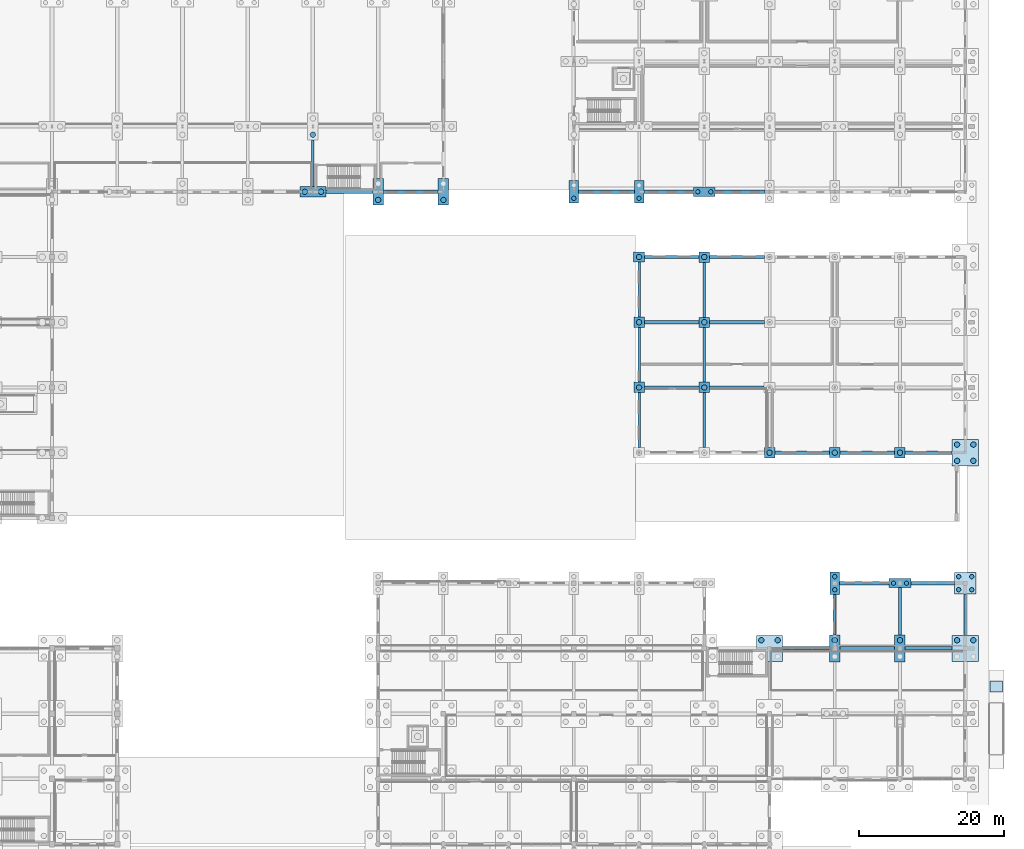
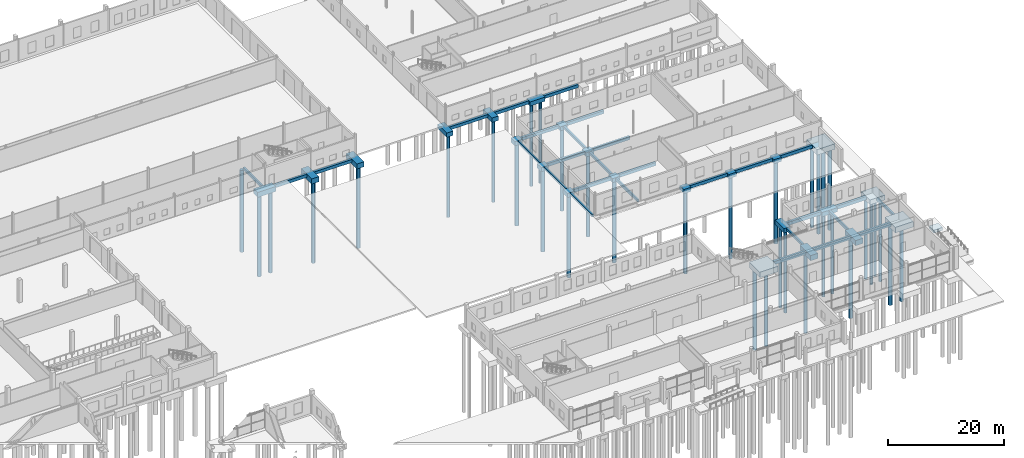
# One storey, part 13 of 112: 53 footings, 36 piles.
"""IFC4 building model written with IfcOpenShell, lengths in metres."""

import ifcopenshell
import ifcopenshell.guid

model = None  # the IFC model being written
_history = None  # IfcOwnerHistory: only IFC2X3 demands one
_inside = {}  # id of a spatial element -> (the spatial element, [elements in it])
_under = {}  # id of a project, library or spatial element -> (it, [spatial elements below it])
_declared = {}  # id of a project -> (the project, [libraries it declares])
_typed = {}  # id of a type object -> (the type object, [elements of that type])
_made_of = {}  # id of a material, layer set ... -> (it, [elements and type objects made of it])


def new_model(schema):
    """Start an empty IFC model of exactly this schema.

    Asked for "IFC4X3", IfcOpenShell would pick the latest addendum, in which some entities
    have other attributes; the version numbers below select the first issue.
    IFC2X3 requires an IfcOwnerHistory on every rooted entity: one is made here for all.
    """
    global model, _history
    if schema == "IFC4X3":
        model = ifcopenshell.file(schema_version=(4, 3, 0, 0))
    else:
        model = ifcopenshell.file(schema=schema)
    _inside.clear()
    _under.clear()
    _declared.clear()
    _typed.clear()
    _made_of.clear()
    _history = None
    if model.schema == "IFC2X3":
        org = make("IfcOrganization", Name="unknown")
        user = make(
            "IfcPersonAndOrganization",
            ThePerson=make("IfcPerson", FamilyName="unknown"),
            TheOrganization=org,
        )
        app = make(
            "IfcApplication",
            ApplicationDeveloper=org,
            Version="unknown",
            ApplicationFullName="unknown",
            ApplicationIdentifier="unknown",
        )
        _history = make(
            "IfcOwnerHistory",
            OwningUser=user,
            OwningApplication=app,
            ChangeAction="ADDED",
            CreationDate=0,
        )
    return model


def make(cls, **values):
    """One entity of the class cls with the attributes given. An attribute that is None is left unset."""
    return model.create_entity(
        cls, **{name: value for name, value in values.items() if value is not None}
    )


def rooted(cls, **values):
    """An entity with a GlobalId (a new one), such as an element, a storey or a relation."""
    return make(cls, GlobalId=ifcopenshell.guid.new(), OwnerHistory=_history, **values)


def si_unit(unit_type, name, prefix=None):
    """IfcSIUnit, for example si_unit("LENGTHUNIT", "METRE", prefix="MILLI")."""
    return make("IfcSIUnit", UnitType=unit_type, Prefix=prefix, Name=name)


def assignment(units):
    """IfcUnitAssignment: the units of a project."""
    return None if units is None else make("IfcUnitAssignment", Units=units)


def point(xyz):
    """IfcCartesianPoint."""
    return None if xyz is None else make("IfcCartesianPoint", Coordinates=xyz)


def direction(xyz):
    """IfcDirection."""
    return None if xyz is None else make("IfcDirection", DirectionRatios=xyz)


def frame(location, z_axis=None, x_axis=None):
    """IfcAxis2Placement3D, a coordinate frame: its origin and axes. An axis left out is left unset."""
    return make(
        "IfcAxis2Placement3D",
        Location=point(location),
        Axis=direction(z_axis),
        RefDirection=direction(x_axis),
    )


def frame_2d(location, x_axis=None):
    """IfcAxis2Placement2D, a coordinate frame in the plane: its origin and x axis."""
    return make(
        "IfcAxis2Placement2D", Location=point(location), RefDirection=direction(x_axis)
    )


def origin():
    """The frame at (0, 0, 0) with its axes left unset."""
    return frame((0.0, 0.0, 0.0))


def origin_2d():
    """The frame at (0, 0) in the plane with its x axis left unset."""
    return frame_2d((0.0, 0.0))


def place(relative_to, where):
    """IfcLocalPlacement: puts the frame where relative to a parent placement (None: the world)."""
    return make(
        "IfcLocalPlacement", PlacementRelTo=relative_to, RelativePlacement=where
    )


def context(
    kind, dimensions, precision=None, world=None, true_north=None, identifier=None
):
    """IfcGeometricRepresentationContext, for example the 3D "Model" context."""
    return make(
        "IfcGeometricRepresentationContext",
        ContextIdentifier=identifier,
        ContextType=kind,
        CoordinateSpaceDimension=dimensions,
        Precision=precision,
        WorldCoordinateSystem=world,
        TrueNorth=true_north,
    )


def subcontext(parent, identifier, kind, view, scale=None):
    """IfcGeometricRepresentationSubContext, for example "Body" below "Model"."""
    return make(
        "IfcGeometricRepresentationSubContext",
        ContextIdentifier=identifier,
        ContextType=kind,
        ParentContext=parent,
        TargetScale=scale,
        TargetView=view,
    )


def project(units=None, contexts=None):
    """IfcProject with its units and contexts."""
    return rooted(
        "IfcProject",
        Name="project",
        RepresentationContexts=contexts,
        UnitsInContext=assignment(units),
    )


def spatial(cls, under=None, at=None, **own):
    """A site, building, storey or space (cls), placed at a placement, below another one or the project."""
    s = rooted(cls, ObjectPlacement=at, **own)
    if under is not None:
        _under.setdefault(under.id(), (under, []))[1].append(s)
    return s


def polyline(points):
    """IfcPolyline through the points."""
    return make("IfcPolyline", Points=[point(p) for p in points])


def profile(cls, at=None, kind="AREA", **sizes):
    """A parametric profile (cls). Its sizes go by their IFC names, for example OverallWidth=200.0."""
    return make(cls, ProfileType=kind, Position=at, **sizes)


def rectangle(**sizes):
    """IfcRectangleProfileDef."""
    return profile("IfcRectangleProfileDef", **sizes)


def circle(**sizes):
    """IfcCircleProfileDef."""
    return profile("IfcCircleProfileDef", **sizes)


def outline(outer, holes=None, kind="AREA"):
    """IfcArbitraryClosedProfileDef: a profile drawn as a closed curve; with holes, ...WithVoids."""
    if holes is None:
        return make("IfcArbitraryClosedProfileDef", ProfileType=kind, OuterCurve=outer)
    return make(
        "IfcArbitraryProfileDefWithVoids",
        ProfileType=kind,
        OuterCurve=outer,
        InnerCurves=holes,
    )


def extrude(swept, where, along, depth):
    """IfcExtrudedAreaSolid: the profile swept, set in the frame where, extruded along a direction by depth."""
    return make(
        "IfcExtrudedAreaSolid",
        SweptArea=swept,
        Position=where,
        ExtrudedDirection=direction(along),
        Depth=depth,
    )


def shape(context_of_items, identifier, shape_type, items):
    """IfcShapeRepresentation: the items that make up one representation, for example the "Body"."""
    return make(
        "IfcShapeRepresentation",
        ContextOfItems=context_of_items,
        RepresentationIdentifier=identifier,
        RepresentationType=shape_type,
        Items=items,
    )


def material(Name=None, Category=None):
    """IfcMaterial."""
    return make("IfcMaterial", Name=Name, Category=Category)


def material_profile(
    of_material, cross_section, Name=None, Category=None, Priority=None
):
    """IfcMaterialProfile: a cross section and its material."""
    return make(
        "IfcMaterialProfile",
        Name=Name,
        Material=of_material,
        Profile=cross_section,
        Priority=Priority,
        Category=Category,
    )


def profile_set(profiles, Name=None, composite=None):
    """IfcMaterialProfileSet."""
    return make(
        "IfcMaterialProfileSet",
        Name=Name,
        MaterialProfiles=profiles,
        CompositeProfile=composite,
    )


def made_of(thing, what):
    """Note that an element or type object is made of a material, layer set ...; save() writes the relation."""
    if what is not None:
        _made_of.setdefault(what.id(), (what, []))[1].append(thing)
    return thing


def type_object(cls, material=None, **own):
    """A type object (cls), such as IfcWallType, which elements share."""
    return made_of(rooted(cls, **own), material)


def element(
    cls,
    number,
    at=None,
    inside=None,
    cuts=None,
    type_object=None,
    material=None,
    context=None,
    identifier="Body",
    shape_type=None,
    held_by="IfcProductDefinitionShape",
    body=None,
    shapes=None,
    **own,
):
    """One element of the class cls, such as IfcWall. Its Tag is "e" and its number.

    at: its placement. inside: the storey or other place that contains it. cuts: it is an
    opening in that element (IfcRelVoidsElement). A single representation is given by context,
    identifier, shape_type and body (its items); several are given by shapes. held_by: the class
    of the entity that holds the representations. save() writes the other relations.
    """
    e = rooted(cls, Tag="e%d" % number, ObjectPlacement=at, **own)
    if body is not None:
        shapes = [shape(context, identifier, shape_type, body)]
    if shapes is not None:
        e.Representation = make(held_by, Representations=shapes)
    if inside is not None:
        _inside.setdefault(inside.id(), (inside, []))[1].append(e)
    if cuts is not None:
        rooted(
            "IfcRelVoidsElement", RelatingBuildingElement=cuts, RelatedOpeningElement=e
        )
    if type_object is not None:
        _typed.setdefault(type_object.id(), (type_object, []))[1].append(e)
    return made_of(e, material)


def aggregate(whole, parts):
    """IfcRelAggregates: a whole, such as a stair, and the parts it consists of."""
    return rooted("IfcRelAggregates", RelatingObject=whole, RelatedObjects=parts)


def save(model, path):
    """Write the relations noted so far, then the file.

    IfcRelAggregates (storeys below a building ...), IfcRelContainedInSpatialStructure (elements
    in a storey), IfcRelDefinesByType, IfcRelAssociatesMaterial and IfcRelDeclares: one each for
    every whole, place, type object, material and project.
    """
    for whole, parts in _under.values():
        aggregate(whole, parts)
    for where, things in _inside.values():
        rooted(
            "IfcRelContainedInSpatialStructure",
            RelatedElements=things,
            RelatingStructure=where,
        )
    for kind, things in _typed.values():
        rooted("IfcRelDefinesByType", RelatedObjects=things, RelatingType=kind)
    for what, things in _made_of.values():
        rooted("IfcRelAssociatesMaterial", RelatedObjects=things, RelatingMaterial=what)
    for by, libraries in _declared.values():
        rooted("IfcRelDeclares", RelatingContext=by, RelatedDefinitions=libraries)
    model.write(path)


model = new_model("IFC4")

# Units and contexts
model_context = context("Model", 3, precision=1e-05, world=origin(), true_north=direction((0.0, 1.0)))
body_context = subcontext(model_context, "Body", "Model", "MODEL_VIEW")
ifc_project = project(units=[si_unit("LENGTHUNIT", "METRE"), si_unit("AREAUNIT", "SQUARE_METRE"), si_unit("VOLUMEUNIT", "CUBIC_METRE"), si_unit("PLANEANGLEUNIT", "RADIAN"), si_unit("MASSUNIT", "GRAM", prefix="KILO")], contexts=[model_context])

# Site, building, storey
site_placement = place(None, origin())
site = spatial("IfcSite", under=ifc_project, at=site_placement, CompositionType="ELEMENT")
building_placement = place(site_placement, origin())
building = spatial("IfcBuilding", under=site, at=building_placement, Name="Tharagai Park Tramway Depot", CompositionType="ELEMENT")
storey_placement = place(building_placement, origin())
storey = spatial("IfcBuildingStorey", under=building, at=storey_placement, Name="L00", CompositionType="ELEMENT", Elevation=0.0)

# Piles
ifc_material = material(Name="Concrete M40", Category="concrete")
ifc_material_profile_1 = material_profile(ifc_material, circle(Radius=0.375, at=origin_2d()), Name="PILE D750")
ifc_profile_set_1 = profile_set([ifc_material_profile_1], Name="Concrete M40")
pile_type_1 = type_object("IfcPileType", Name="BP-02", PredefinedType="BORED", material=ifc_profile_set_1)
for number, where, z_axis, x_axis, name in (
    (1, (124.875, 90.0, -1.25), (0.0, 0.0, -1.0), (1.0, 0.0, 0.0), "Bored Pile BP-02 (126,90) #1"),
    (2, (127.125, 90.0, -1.25), (0.0, 0.0, -1.0), (1.0, 0.0, 0.0), "Bored Pile BP-02 (126,90) #2"),
):
    element("IfcPile", number, at=place(storey_placement, frame(where, z_axis=z_axis, x_axis=x_axis)), inside=storey, type_object=pile_type_1, Name=name, PredefinedType="BORED", context=body_context, shape_type="SweptSolid", body=[
        extrude(circle(Radius=0.375, at=origin_2d()), origin(), (0.0, 0.0, 1.0), 17.25),
    ])
for number, where, z_axis, x_axis, name in (
    (3, (126.0, 97.875, -1.280029296875), (0.0, 0.0, -1.0), (1.0, 0.0, 0.0), "Bored Pile BP-02 (126,99) #1"),
    (4, (135.0, 88.875, -1.280029296875), (0.0, 0.0, -1.0), (1.0, 0.0, 0.0), "Bored Pile BP-02 (135,90) #1"),
    (5, (144.0, 88.875, -1.280029296875), (0.0, 0.0, -1.0), (1.0, 0.0, 0.0), "Bored Pile BP-02 (144,90) #1"),
):
    element("IfcPile", number, at=place(storey_placement, frame(where, z_axis=z_axis, x_axis=x_axis)), inside=storey, type_object=pile_type_1, Name=name, PredefinedType="BORED", context=body_context, shape_type="SweptSolid", body=[
        extrude(circle(Radius=0.375, at=origin_2d()), origin(), (0.0, 0.0, 1.0), 17.219970703125),
    ])
for number, where, z_axis, x_axis, name in (
    (6, (171.0, 63.0, -1.050048828125), (0.0, 0.0, -1.0), (1.0, 0.0, 0.0), "Bored Pile BP-02 (171,63) #1"),
    (7, (171.0, 72.0, -1.050048828125), (0.0, 0.0, -1.0), (1.0, 0.0, 0.0), "Bored Pile BP-02 (171,72) #1"),
):
    element("IfcPile", number, at=place(storey_placement, frame(where, z_axis=z_axis, x_axis=x_axis)), inside=storey, type_object=pile_type_1, Name=name, PredefinedType="BORED", context=body_context, shape_type="SweptSolid", body=[
        extrude(circle(Radius=0.375, at=origin_2d()), origin(), (0.0, 0.0, 1.0), 17.449951171875),
    ])
pile_1_placement = place(storey_placement, frame((171.0, 81.0, -1.080078125), z_axis=(0.0, 0.0, -1.0), x_axis=(1.0, 0.0, 0.0)))
element("IfcPile", 8, at=pile_1_placement, inside=storey, type_object=pile_type_1, Name="Bored Pile BP-02 (171,81) #1", PredefinedType="BORED", context=body_context, shape_type="SweptSolid", body=[
    extrude(circle(Radius=0.375, at=origin_2d()), origin(), (0.0, 0.0, 1.0), 17.419921875),
])
pile_2_placement = place(storey_placement, frame((180.0, 63.0, -1.050048828125), z_axis=(0.0, 0.0, -1.0), x_axis=(1.0, 0.0, 0.0)))
element("IfcPile", 9, at=pile_2_placement, inside=storey, type_object=pile_type_1, Name="Bored Pile BP-02 (180,63) #1", PredefinedType="BORED", context=body_context, shape_type="SweptSolid", body=[
    extrude(circle(Radius=0.375, at=origin_2d()), origin(), (0.0, 0.0, 1.0), 17.449951171875),
])
pile_3_placement = place(storey_placement, frame((180.0, 72.0, -1.080078125), z_axis=(0.0, 0.0, -1.0), x_axis=(1.0, 0.0, 0.0)))
element("IfcPile", 10, at=pile_3_placement, inside=storey, type_object=pile_type_1, Name="Bored Pile BP-02 (180,72) #1", PredefinedType="BORED", context=body_context, shape_type="SweptSolid", body=[
    extrude(circle(Radius=0.375, at=origin_2d()), origin(), (0.0, 0.0, 1.0), 17.419921875),
])
pile_4_placement = place(storey_placement, frame((180.0, 81.0, -1.050048828125), z_axis=(0.0, 0.0, -1.0), x_axis=(1.0, 0.0, 0.0)))
element("IfcPile", 11, at=pile_4_placement, inside=storey, type_object=pile_type_1, Name="Bored Pile BP-02 (180,81) #1", PredefinedType="BORED", context=body_context, shape_type="SweptSolid", body=[
    extrude(circle(Radius=0.375, at=origin_2d()), origin(), (0.0, 0.0, 1.0), 17.449951171875),
])
for number, where, z_axis, x_axis, name in (
    (12, (187.875, 28.125, -1.35009765625), (0.0, 0.0, -1.0), (1.0, 0.0, 0.0), "Bored Pile BP-02 (189,27) #3"),
    (13, (190.125, 28.125, -1.35009765625), (0.0, 0.0, -1.0), (1.0, 0.0, 0.0), "Bored Pile BP-02 (189,27) #4"),
):
    element("IfcPile", number, at=place(storey_placement, frame(where, z_axis=z_axis, x_axis=x_axis)), inside=storey, type_object=pile_type_1, Name=name, PredefinedType="BORED", context=body_context, shape_type="SweptSolid", body=[
        extrude(circle(Radius=0.375, at=origin_2d()), origin(), (0.0, 0.0, 1.0), 17.14990234375),
    ])
pile_5_placement = place(storey_placement, frame((189.0, 54.0, -1.050048828125), z_axis=(0.0, 0.0, -1.0), x_axis=(1.0, 0.0, 0.0)))
element("IfcPile", 14, at=pile_5_placement, inside=storey, type_object=pile_type_1, Name="Bored Pile BP-02 (189,54) #1", PredefinedType="BORED", context=body_context, shape_type="SweptSolid", body=[
    extrude(circle(Radius=0.375, at=origin_2d()), origin(), (0.0, 0.0, 1.0), 17.449951171875),
])
pile_6_placement = place(storey_placement, frame((198.0, 28.125, -1.280029296875), z_axis=(0.0, 0.0, -1.0), x_axis=(1.0, 0.0, 0.0)))
element("IfcPile", 15, at=pile_6_placement, inside=storey, type_object=pile_type_1, Name="Bored Pile BP-02 (198,27) #2", PredefinedType="BORED", context=body_context, shape_type="SweptSolid", body=[
    extrude(circle(Radius=0.375, at=origin_2d()), origin(), (0.0, 0.0, 1.0), 17.219970703125),
])
pile_7_placement = place(storey_placement, frame((198.0, 54.0, -1.080078125), z_axis=(0.0, 0.0, -1.0), x_axis=(1.0, 0.0, 0.0)))
element("IfcPile", 16, at=pile_7_placement, inside=storey, type_object=pile_type_1, Name="Bored Pile BP-02 (198,54) #1", PredefinedType="BORED", context=body_context, shape_type="SweptSolid", body=[
    extrude(circle(Radius=0.375, at=origin_2d()), origin(), (0.0, 0.0, 1.0), 17.419921875),
])
pile_8_placement = place(storey_placement, frame((207.0, 28.125, -1.280029296875), z_axis=(0.0, 0.0, -1.0), x_axis=(1.0, 0.0, 0.0)))
element("IfcPile", 17, at=pile_8_placement, inside=storey, type_object=pile_type_1, Name="Bored Pile BP-02 (207,27) #2", PredefinedType="BORED", context=body_context, shape_type="SweptSolid", body=[
    extrude(circle(Radius=0.375, at=origin_2d()), origin(), (0.0, 0.0, 1.0), 17.219970703125),
])
pile_9_placement = place(storey_placement, frame((207.0, 54.0, -1.050048828125), z_axis=(0.0, 0.0, -1.0), x_axis=(1.0, 0.0, 0.0)))
element("IfcPile", 18, at=pile_9_placement, inside=storey, type_object=pile_type_1, Name="Bored Pile BP-02 (207,54) #1", PredefinedType="BORED", context=body_context, shape_type="SweptSolid", body=[
    extrude(circle(Radius=0.375, at=origin_2d()), origin(), (0.0, 0.0, 1.0), 17.449951171875),
])
for number, where, z_axis, x_axis, name in (
    (19, (214.875, 28.125, -1.35009765625), (0.0, 0.0, -1.0), (1.0, 0.0, 0.0), "Bored Pile BP-02 (216,27) #3"),
    (20, (217.125, 28.125, -1.35009765625), (0.0, 0.0, -1.0), (1.0, 0.0, 0.0), "Bored Pile BP-02 (216,27) #4"),
    (21, (214.875, 52.875, -1.35009765625), (0.0, 0.0, -1.0), (1.0, 0.0, 0.0), "Bored Pile BP-02 (216,54) #1"),
    (22, (217.125, 52.875, -1.35009765625), (0.0, 0.0, -1.0), (1.0, 0.0, 0.0), "Bored Pile BP-02 (216,54) #2"),
    (23, (214.875, 55.125, -1.35009765625), (0.0, 0.0, -1.0), (1.0, 0.0, 0.0), "Bored Pile BP-02 (216,54) #3"),
    (24, (217.125, 55.125, -1.35009765625), (0.0, 0.0, -1.0), (1.0, 0.0, 0.0), "Bored Pile BP-02 (216,54) #4"),
):
    element("IfcPile", number, at=place(storey_placement, frame(where, z_axis=z_axis, x_axis=x_axis)), inside=storey, type_object=pile_type_1, Name=name, PredefinedType="BORED", context=body_context, shape_type="SweptSolid", body=[
        extrude(circle(Radius=0.375, at=origin_2d()), origin(), (0.0, 0.0, 1.0), 17.14990234375),
    ])
ifc_material_profile_2 = material_profile(ifc_material, circle(Radius=0.300048828125, at=origin_2d()), Name="PILE D600")
ifc_profile_set_2 = profile_set([ifc_material_profile_2], Name="Concrete M40")
pile_type_2 = type_object("IfcPileType", Name="BP-03", PredefinedType="BORED", material=ifc_profile_set_2)
for number, where, z_axis, x_axis, name in (
    (25, (162.0, 89.10009765625, -1.1201171875), (0.0, 0.0, -1.0), (1.0, 0.0, 0.0), "Bored Pile BP-03 (162,90) #1"),
    (26, (171.0, 89.10009765625, -1.1201171875), (0.0, 0.0, -1.0), (1.0, 0.0, 0.0), "Bored Pile BP-03 (171,90) #1"),
):
    element("IfcPile", number, at=place(storey_placement, frame(where, z_axis=z_axis, x_axis=x_axis)), inside=storey, type_object=pile_type_2, Name=name, PredefinedType="BORED", context=body_context, shape_type="SweptSolid", body=[
        extrude(circle(Radius=0.300048828125, at=origin_2d()), origin(), (0.0, 0.0, 1.0), 17.3798828125),
    ])
for number, where, z_axis, x_axis, name in (
    (27, (179.10009765625, 90.0, -1.10009765625), (0.0, 0.0, -1.0), (1.0, 0.0, 0.0), "Bored Pile BP-03 (180,90) #1"),
    (28, (180.89990234375, 90.0, -1.10009765625), (0.0, 0.0, -1.0), (1.0, 0.0, 0.0), "Bored Pile BP-03 (180,90) #2"),
):
    element("IfcPile", number, at=place(storey_placement, frame(where, z_axis=z_axis, x_axis=x_axis)), inside=storey, type_object=pile_type_2, Name=name, PredefinedType="BORED", context=body_context, shape_type="SweptSolid", body=[
        extrude(circle(Radius=0.300048828125, at=origin_2d()), origin(), (0.0, 0.0, 1.0), 17.39990234375),
    ])
for number, where, z_axis, x_axis, name in (
    (29, (198.0, 35.10009765625, -1.1201171875), (0.0, 0.0, -1.0), (1.0, 0.0, 0.0), "Bored Pile BP-03 (198,36) #1"),
    (30, (198.0, 36.89990234375, -1.1201171875), (0.0, 0.0, -1.0), (1.0, 0.0, 0.0), "Bored Pile BP-03 (198,36) #2"),
):
    element("IfcPile", number, at=place(storey_placement, frame(where, z_axis=z_axis, x_axis=x_axis)), inside=storey, type_object=pile_type_2, Name=name, PredefinedType="BORED", context=body_context, shape_type="SweptSolid", body=[
        extrude(circle(Radius=0.300048828125, at=origin_2d()), origin(), (0.0, 0.0, 1.0), 17.3798828125),
    ])
for number, where, z_axis, x_axis, name in (
    (31, (206.10009765625, 36.0, -1.10009765625), (0.0, 0.0, -1.0), (1.0, 0.0, 0.0), "Bored Pile BP-03 (207,36) #1"),
    (32, (207.89990234375, 36.0, -1.10009765625), (0.0, 0.0, -1.0), (1.0, 0.0, 0.0), "Bored Pile BP-03 (207,36) #2"),
):
    element("IfcPile", number, at=place(storey_placement, frame(where, z_axis=z_axis, x_axis=x_axis)), inside=storey, type_object=pile_type_2, Name=name, PredefinedType="BORED", context=body_context, shape_type="SweptSolid", body=[
        extrude(circle(Radius=0.300048828125, at=origin_2d()), origin(), (0.0, 0.0, 1.0), 17.39990234375),
    ])
for number, where, z_axis, x_axis, name in (
    (33, (215.10009765625, 35.10009765625, -1.199951171875), (0.0, 0.0, -1.0), (1.0, 0.0, 0.0), "Bored Pile BP-03 (216,36) #1"),
    (34, (216.89990234375, 35.10009765625, -1.199951171875), (0.0, 0.0, -1.0), (1.0, 0.0, 0.0), "Bored Pile BP-03 (216,36) #2"),
    (35, (215.10009765625, 36.89990234375, -1.199951171875), (0.0, 0.0, -1.0), (1.0, 0.0, 0.0), "Bored Pile BP-03 (216,36) #3"),
    (36, (216.89990234375, 36.89990234375, -1.199951171875), (0.0, 0.0, -1.0), (1.0, 0.0, 0.0), "Bored Pile BP-03 (216,36) #4"),
):
    element("IfcPile", number, at=place(storey_placement, frame(where, z_axis=z_axis, x_axis=x_axis)), inside=storey, type_object=pile_type_2, Name=name, PredefinedType="BORED", context=body_context, shape_type="SweptSolid", body=[
        extrude(circle(Radius=0.300048828125, at=origin_2d()), origin(), (0.0, 0.0, 1.0), 17.300048828125),
    ])

# Footings
footing_type_1 = type_object("IfcFootingType", Name="GB-01", PredefinedType="FOOTING_BEAM", material=ifc_material)
footing_1_placement = place(storey_placement, frame((0.0, 0.0, -0.949951171875)))
element("IfcFooting", 37, at=footing_1_placement, inside=storey, type_object=footing_type_1, Name="Ground Tie Beam GB-01", PredefinedType="FOOTING_BEAM", context=body_context, shape_type="SweptSolid", body=[
    extrude(outline(polyline([(189.72509765625, 53.77490234375), (197.25, 53.77490234375), (197.25, 54.22509765625), (189.72509765625, 54.22509765625), (189.72509765625, 53.77490234375)])), origin(), (0.0, 0.0, 1.0), 0.64990234375),
])
footing_2_placement = place(storey_placement, frame((0.0, 0.0, -0.949951171875)))
element("IfcFooting", 38, at=footing_2_placement, inside=storey, type_object=footing_type_1, Name="Ground Tie Beam GB-01", PredefinedType="FOOTING_BEAM", context=body_context, shape_type="SweptSolid", body=[
    extrude(outline(polyline([(198.75, 53.77490234375), (206.27490234375, 53.77490234375), (206.27490234375, 54.22509765625), (198.75, 54.22509765625), (198.75, 53.77490234375)])), origin(), (0.0, 0.0, 1.0), 0.64990234375),
])
footing_3_placement = place(storey_placement, frame((0.0, 0.0, -0.949951171875)))
element("IfcFooting", 39, at=footing_3_placement, inside=storey, type_object=footing_type_1, Name="Ground Tie Beam GB-01", PredefinedType="FOOTING_BEAM", context=body_context, shape_type="SweptSolid", body=[
    extrude(outline(polyline([(207.72509765625, 53.77490234375), (214.199951171875, 53.77490234375), (214.199951171875, 54.22509765625), (207.72509765625, 54.22509765625), (207.72509765625, 53.77490234375)])), origin(), (0.0, 0.0, 1.0), 0.64990234375),
])
footing_4_placement = place(storey_placement, frame((0.0, 0.0, -0.949951171875)))
element("IfcFooting", 40, at=footing_4_placement, inside=storey, type_object=footing_type_1, Name="Ground Tie Beam GB-01", PredefinedType="FOOTING_BEAM", context=body_context, shape_type="SweptSolid", body=[
    extrude(outline(polyline([(171.72509765625, 62.77490234375), (179.27490234375, 62.77490234375), (179.27490234375, 63.22509765625), (171.72509765625, 63.22509765625), (171.72509765625, 62.77490234375)])), origin(), (0.0, 0.0, 1.0), 0.64990234375),
])
footing_5_placement = place(storey_placement, frame((0.0, 0.0, -0.949951171875)))
element("IfcFooting", 41, at=footing_5_placement, inside=storey, type_object=footing_type_1, Name="Ground Tie Beam GB-01", PredefinedType="FOOTING_BEAM", context=body_context, shape_type="SweptSolid", body=[
    extrude(outline(polyline([(180.72509765625, 62.77490234375), (188.25, 62.77490234375), (188.25, 63.22509765625), (180.72509765625, 63.22509765625), (180.72509765625, 62.77490234375)])), origin(), (0.0, 0.0, 1.0), 0.64990234375),
])
footing_6_placement = place(storey_placement, frame((0.0, 0.0, -0.949951171875)))
element("IfcFooting", 42, at=footing_6_placement, inside=storey, type_object=footing_type_1, Name="Ground Tie Beam GB-01", PredefinedType="FOOTING_BEAM", context=body_context, shape_type="SweptSolid", body=[
    extrude(outline(polyline([(171.72509765625, 71.77490234375), (179.25, 71.77490234375), (179.25, 72.22509765625), (171.72509765625, 72.22509765625), (171.72509765625, 71.77490234375)])), origin(), (0.0, 0.0, 1.0), 0.64990234375),
])
footing_7_placement = place(storey_placement, frame((0.0, 0.0, -0.949951171875)))
element("IfcFooting", 43, at=footing_7_placement, inside=storey, type_object=footing_type_1, Name="Ground Tie Beam GB-01", PredefinedType="FOOTING_BEAM", context=body_context, shape_type="SweptSolid", body=[
    extrude(outline(polyline([(180.75, 71.77490234375), (188.27490234375, 71.77490234375), (188.27490234375, 72.22509765625), (180.75, 72.22509765625), (180.75, 71.77490234375)])), origin(), (0.0, 0.0, 1.0), 0.64990234375),
])
footing_8_placement = place(storey_placement, frame((0.0, 0.0, -0.949951171875)))
element("IfcFooting", 44, at=footing_8_placement, inside=storey, type_object=footing_type_1, Name="Ground Tie Beam GB-01", PredefinedType="FOOTING_BEAM", context=body_context, shape_type="SweptSolid", body=[
    extrude(outline(polyline([(171.75, 80.77490234375), (179.27490234375, 80.77490234375), (179.27490234375, 81.22509765625), (171.75, 81.22509765625), (171.75, 80.77490234375)])), origin(), (0.0, 0.0, 1.0), 0.64990234375),
])
footing_9_placement = place(storey_placement, frame((0.0, 0.0, -0.949951171875)))
element("IfcFooting", 45, at=footing_9_placement, inside=storey, type_object=footing_type_1, Name="Ground Tie Beam GB-01", PredefinedType="FOOTING_BEAM", context=body_context, shape_type="SweptSolid", body=[
    extrude(outline(polyline([(180.72509765625, 80.77490234375), (188.27490234375, 80.77490234375), (188.27490234375, 81.22509765625), (180.72509765625, 81.22509765625), (180.72509765625, 80.77490234375)])), origin(), (0.0, 0.0, 1.0), 0.64990234375),
])
footing_10_placement = place(storey_placement, frame((0.0, 0.0, -0.949951171875)))
element("IfcFooting", 46, at=footing_10_placement, inside=storey, type_object=footing_type_1, Name="Ground Tie Beam GB-01", PredefinedType="FOOTING_BEAM", context=body_context, shape_type="SweptSolid", body=[
    extrude(outline(polyline([(127.800048828125, 89.77490234375), (134.27490234375, 89.77490234375), (134.27490234375, 90.22509765625), (127.800048828125, 90.22509765625), (127.800048828125, 89.77490234375)])), origin(), (0.0, 0.0, 1.0), 0.64990234375),
])
footing_11_placement = place(storey_placement, frame((0.0, 0.0, -0.949951171875)))
element("IfcFooting", 47, at=footing_11_placement, inside=storey, type_object=footing_type_1, Name="Ground Tie Beam GB-01", PredefinedType="FOOTING_BEAM", context=body_context, shape_type="SweptSolid", body=[
    extrude(outline(polyline([(135.72509765625, 89.77490234375), (143.27490234375, 89.77490234375), (143.27490234375, 90.22509765625), (135.72509765625, 90.22509765625), (135.72509765625, 89.77490234375)])), origin(), (0.0, 0.0, 1.0), 0.64990234375),
])
footing_12_placement = place(storey_placement, frame((0.0, 0.0, -0.949951171875)))
element("IfcFooting", 48, at=footing_12_placement, inside=storey, type_object=footing_type_1, Name="Ground Tie Beam GB-01", PredefinedType="FOOTING_BEAM", context=body_context, shape_type="SweptSolid", body=[
    extrude(outline(polyline([(162.64990234375, 89.77490234375), (170.35009765625, 89.77490234375), (170.35009765625, 90.22509765625), (162.64990234375, 90.22509765625), (162.64990234375, 89.77490234375)])), origin(), (0.0, 0.0, 1.0), 0.64990234375),
])
footing_13_placement = place(storey_placement, frame((0.0, 0.0, -0.949951171875)))
element("IfcFooting", 49, at=footing_13_placement, inside=storey, type_object=footing_type_1, Name="Ground Tie Beam GB-01", PredefinedType="FOOTING_BEAM", context=body_context, shape_type="SweptSolid", body=[
    extrude(outline(polyline([(171.64990234375, 89.77490234375), (178.5, 89.77490234375), (178.5, 90.22509765625), (171.64990234375, 90.22509765625), (171.64990234375, 89.77490234375)])), origin(), (0.0, 0.0, 1.0), 0.64990234375),
])
footing_14_placement = place(storey_placement, frame((0.0, 0.0, -0.949951171875)))
element("IfcFooting", 50, at=footing_14_placement, inside=storey, type_object=footing_type_1, Name="Ground Tie Beam GB-01", PredefinedType="FOOTING_BEAM", context=body_context, shape_type="SweptSolid", body=[
    extrude(outline(polyline([(181.5, 89.77490234375), (188.35009765625, 89.77490234375), (188.35009765625, 90.22509765625), (181.5, 90.22509765625), (181.5, 89.77490234375)])), origin(), (0.0, 0.0, 1.0), 0.64990234375),
])
footing_type_2 = type_object("IfcFootingType", Name="GB-02", PredefinedType="FOOTING_BEAM", material=ifc_material)
footing_15_placement = place(storey_placement, frame((0.0, 0.0, -1.0)))
element("IfcFooting", 51, at=footing_15_placement, inside=storey, type_object=footing_type_2, Name="Ground Tie Beam GB-02", PredefinedType="FOOTING_BEAM", context=body_context, shape_type="SweptSolid", body=[
    extrude(outline(polyline([(190.800048828125, 26.75), (197.27490234375, 26.75), (197.27490234375, 27.25), (190.800048828125, 27.25), (190.800048828125, 26.75)])), origin(), (0.0, 0.0, 1.0), 0.699951171875),
])
footing_16_placement = place(storey_placement, frame((0.0, 0.0, -1.0)))
element("IfcFooting", 52, at=footing_16_placement, inside=storey, type_object=footing_type_2, Name="Ground Tie Beam GB-02", PredefinedType="FOOTING_BEAM", context=body_context, shape_type="SweptSolid", body=[
    extrude(outline(polyline([(198.72509765625, 26.75), (206.27490234375, 26.75), (206.27490234375, 27.25), (198.72509765625, 27.25), (198.72509765625, 26.75)])), origin(), (0.0, 0.0, 1.0), 0.699951171875),
])
footing_17_placement = place(storey_placement, frame((0.0, 0.0, -1.0)))
element("IfcFooting", 53, at=footing_17_placement, inside=storey, type_object=footing_type_2, Name="Ground Tie Beam GB-02", PredefinedType="FOOTING_BEAM", context=body_context, shape_type="SweptSolid", body=[
    extrude(outline(polyline([(207.72509765625, 26.75), (214.199951171875, 26.75), (214.199951171875, 27.25), (207.72509765625, 27.25), (207.72509765625, 26.75)])), origin(), (0.0, 0.0, 1.0), 0.699951171875),
])
footing_18_placement = place(storey_placement, frame((0.0, 0.0, -1.0)))
element("IfcFooting", 54, at=footing_18_placement, inside=storey, type_object=footing_type_2, Name="Ground Tie Beam GB-02", PredefinedType="FOOTING_BEAM", context=body_context, shape_type="SweptSolid", body=[
    extrude(outline(polyline([(198.64990234375, 35.75), (205.5, 35.75), (205.5, 36.25), (198.64990234375, 36.25), (198.64990234375, 35.75)])), origin(), (0.0, 0.0, 1.0), 0.699951171875),
])
footing_19_placement = place(storey_placement, frame((0.0, 0.0, -1.0)))
element("IfcFooting", 55, at=footing_19_placement, inside=storey, type_object=footing_type_2, Name="Ground Tie Beam GB-02", PredefinedType="FOOTING_BEAM", context=body_context, shape_type="SweptSolid", body=[
    extrude(outline(polyline([(208.5, 35.75), (214.5, 35.75), (214.5, 36.25), (208.5, 36.25), (208.5, 35.75)])), origin(), (0.0, 0.0, 1.0), 0.699951171875),
])
footing_type_3 = type_object("IfcFootingType", Name="GB-03", PredefinedType="FOOTING_BEAM", material=ifc_material)
footing_20_placement = place(storey_placement, frame((0.0, 0.0, -0.85009765625)))
element("IfcFooting", 56, at=footing_20_placement, inside=storey, type_object=footing_type_3, Name="Ground Tie Beam GB-03", PredefinedType="FOOTING_BEAM", context=body_context, shape_type="SweptSolid", body=[
    extrude(outline(polyline([(125.824951171875, 90.699951171875), (126.175048828125, 90.699951171875), (126.175048828125, 97.14990234375), (125.824951171875, 97.14990234375), (125.824951171875, 90.699951171875)])), origin(), (0.0, 0.0, 1.0), 0.550048828125),
])
footing_21_placement = place(storey_placement, frame((0.0, 0.0, -0.85009765625)))
element("IfcFooting", 57, at=footing_21_placement, inside=storey, type_object=footing_type_3, Name="Ground Tie Beam GB-03", PredefinedType="FOOTING_BEAM", context=body_context, shape_type="SweptSolid", body=[
    extrude(outline(polyline([(170.824951171875, 54.68994140625), (171.175048828125, 54.68994140625), (171.175048828125, 62.27490234375), (170.824951171875, 62.27490234375), (170.824951171875, 54.68994140625)])), origin(), (0.0, 0.0, 1.0), 0.550048828125),
])
footing_22_placement = place(storey_placement, frame((0.0, 0.0, -0.85009765625)))
element("IfcFooting", 58, at=footing_22_placement, inside=storey, type_object=footing_type_3, Name="Ground Tie Beam GB-03", PredefinedType="FOOTING_BEAM", context=body_context, shape_type="SweptSolid", body=[
    extrude(outline(polyline([(170.824951171875, 63.72509765625), (171.175048828125, 63.72509765625), (171.175048828125, 71.27490234375), (170.824951171875, 71.27490234375), (170.824951171875, 63.72509765625)])), origin(), (0.0, 0.0, 1.0), 0.550048828125),
])
footing_23_placement = place(storey_placement, frame((0.0, 0.0, -0.85009765625)))
element("IfcFooting", 59, at=footing_23_placement, inside=storey, type_object=footing_type_3, Name="Ground Tie Beam GB-03", PredefinedType="FOOTING_BEAM", context=body_context, shape_type="SweptSolid", body=[
    extrude(outline(polyline([(170.824951171875, 72.72509765625), (171.175048828125, 72.72509765625), (171.175048828125, 80.31005859375), (170.824951171875, 80.31005859375), (170.824951171875, 72.72509765625)])), origin(), (0.0, 0.0, 1.0), 0.550048828125),
])
footing_24_placement = place(storey_placement, frame((0.0, 0.0, -0.85009765625)))
element("IfcFooting", 60, at=footing_24_placement, inside=storey, type_object=footing_type_3, Name="Ground Tie Beam GB-03", PredefinedType="FOOTING_BEAM", context=body_context, shape_type="SweptSolid", body=[
    extrude(outline(polyline([(179.824951171875, 54.72509765625), (180.175048828125, 54.72509765625), (180.175048828125, 62.27490234375), (179.824951171875, 62.27490234375), (179.824951171875, 54.72509765625)])), origin(), (0.0, 0.0, 1.0), 0.550048828125),
])
footing_25_placement = place(storey_placement, frame((0.0, 0.0, -0.85009765625)))
element("IfcFooting", 61, at=footing_25_placement, inside=storey, type_object=footing_type_3, Name="Ground Tie Beam GB-03", PredefinedType="FOOTING_BEAM", context=body_context, shape_type="SweptSolid", body=[
    extrude(outline(polyline([(179.824951171875, 63.72509765625), (180.175048828125, 63.72509765625), (180.175048828125, 71.31005859375), (179.824951171875, 71.31005859375), (179.824951171875, 63.72509765625)])), origin(), (0.0, 0.0, 1.0), 0.550048828125),
])
footing_26_placement = place(storey_placement, frame((0.0, 0.0, -0.85009765625)))
element("IfcFooting", 62, at=footing_26_placement, inside=storey, type_object=footing_type_3, Name="Ground Tie Beam GB-03", PredefinedType="FOOTING_BEAM", context=body_context, shape_type="SweptSolid", body=[
    extrude(outline(polyline([(179.824951171875, 72.68994140625), (180.175048828125, 72.68994140625), (180.175048828125, 80.27490234375), (179.824951171875, 80.27490234375), (179.824951171875, 72.68994140625)])), origin(), (0.0, 0.0, 1.0), 0.550048828125),
])
footing_27_placement = place(storey_placement, frame((0.0, 0.0, -0.85009765625)))
element("IfcFooting", 63, at=footing_27_placement, inside=storey, type_object=footing_type_3, Name="Ground Tie Beam GB-03", PredefinedType="FOOTING_BEAM", context=body_context, shape_type="SweptSolid", body=[
    extrude(outline(polyline([(197.824951171875, 28.85009765625), (198.175048828125, 28.85009765625), (198.175048828125, 34.449951171875), (197.824951171875, 34.449951171875), (197.824951171875, 28.85009765625)])), origin(), (0.0, 0.0, 1.0), 0.550048828125),
])
footing_28_placement = place(storey_placement, frame((0.0, 0.0, -0.85009765625)))
element("IfcFooting", 64, at=footing_28_placement, inside=storey, type_object=footing_type_3, Name="Ground Tie Beam GB-03", PredefinedType="FOOTING_BEAM", context=body_context, shape_type="SweptSolid", body=[
    extrude(outline(polyline([(206.824951171875, 28.85009765625), (207.175048828125, 28.85009765625), (207.175048828125, 35.375), (206.824951171875, 35.375), (206.824951171875, 28.85009765625)])), origin(), (0.0, 0.0, 1.0), 0.550048828125),
])
footing_29_placement = place(storey_placement, frame((0.0, 0.0, -0.85009765625)))
element("IfcFooting", 65, at=footing_29_placement, inside=storey, type_object=footing_type_3, Name="Ground Tie Beam GB-03", PredefinedType="FOOTING_BEAM", context=body_context, shape_type="SweptSolid", body=[
    extrude(outline(polyline([(215.824951171875, 28.800048828125), (216.175048828125, 28.800048828125), (216.175048828125, 34.5), (215.824951171875, 34.5), (215.824951171875, 28.800048828125)])), origin(), (0.0, 0.0, 1.0), 0.550048828125),
])
footing_type_4 = type_object("IfcFootingType", Name="PC-02", PredefinedType="PILE_CAP", material=ifc_material)
footing_30_placement = place(storey_placement, frame((216.0, 36.0, -1.300048828125), z_axis=(0.0, 0.0, 1.0), x_axis=(1.0, 0.0, 0.0)))
element("IfcFooting", 66, at=footing_30_placement, inside=storey, type_object=footing_type_4, Name="Pile Cap PC-02 (216,36)", PredefinedType="PILE_CAP", context=body_context, shape_type="SweptSolid", body=[
    extrude(rectangle(XDim=3.0, YDim=3.0, at=origin_2d()), origin(), (0.0, 0.0, 1.0), 1.0),
])
footing_type_5 = type_object("IfcFootingType", Name="PC-03", PredefinedType="PILE_CAP", material=ifc_material)
for number, where, z_axis, x_axis, name in (
    (67, (189.0, 27.0, -1.449951171875), (0.0, 0.0, 1.0), (1.0, 0.0, 0.0), "Pile Cap PC-03 (189,27)"),
    (68, (216.0, 27.0, -1.449951171875), (0.0, 0.0, 1.0), (1.0, 0.0, 0.0), "Pile Cap PC-03 (216,27)"),
    (69, (216.0, 54.0, -1.449951171875), (0.0, 0.0, 1.0), (1.0, 0.0, 0.0), "Pile Cap PC-03 (216,54)"),
):
    element("IfcFooting", number, at=place(storey_placement, frame(where, z_axis=z_axis, x_axis=x_axis)), inside=storey, type_object=footing_type_5, Name=name, PredefinedType="PILE_CAP", context=body_context, shape_type="SweptSolid", body=[
        extrude(rectangle(XDim=3.60009765625, YDim=3.60009765625, at=origin_2d()), origin(), (0.0, 0.0, 1.0), 1.14990234375),
    ])
footing_type_6 = type_object("IfcFootingType", Name="PC-06", PredefinedType="PILE_CAP", material=ifc_material)
for number, where, z_axis, x_axis, name in (
    (70, (180.0, 90.0, -1.199951171875), (0.0, 0.0, 1.0), (1.0, 0.0, 0.0), "Pile Cap PC-06 (180,90)"),
    (71, (207.0, 36.0, -1.199951171875), (0.0, 0.0, 1.0), (1.0, 0.0, 0.0), "Pile Cap PC-06 (207,36)"),
):
    element("IfcFooting", number, at=place(storey_placement, frame(where, z_axis=z_axis, x_axis=x_axis)), inside=storey, type_object=footing_type_6, Name=name, PredefinedType="PILE_CAP", context=body_context, shape_type="SweptSolid", body=[
        extrude(rectangle(XDim=3.0, YDim=1.25, at=origin_2d()), origin(), (0.0, 0.0, 1.0), 0.89990234375),
    ])
footing_type_7 = type_object("IfcFootingType", Name="PC-08", PredefinedType="PILE_CAP", material=ifc_material)
for number, where, z_axis, x_axis, name in (
    (72, (162.0, 90.0, -1.219970703125), (0.0, 0.0, 1.0), (1.0, 0.0, 0.0), "Pile Cap PC-08 (162,90)"),
    (73, (171.0, 90.0, -1.219970703125), (0.0, 0.0, 1.0), (1.0, 0.0, 0.0), "Pile Cap PC-08 (171,90)"),
    (74, (198.0, 36.0, -1.219970703125), (0.0, 0.0, 1.0), (1.0, 0.0, 0.0), "Pile Cap PC-08 (198,36)"),
):
    element("IfcFooting", number, at=place(storey_placement, frame(where, z_axis=z_axis, x_axis=x_axis)), inside=storey, type_object=footing_type_7, Name=name, PredefinedType="PILE_CAP", context=body_context, shape_type="SweptSolid", body=[
        extrude(rectangle(XDim=1.300048828125, YDim=3.10009765625, at=origin_2d()), origin(), (0.0, 0.0, 1.0), 0.919921875),
    ])
footing_type_8 = type_object("IfcFootingType", Name="PC-10", PredefinedType="PILE_CAP", material=ifc_material)
for number, where, z_axis, x_axis, name in (
    (75, (171.0, 63.0, -1.150146484375), (0.0, 0.0, 1.0), (1.0, 0.0, 0.0), "Pile Cap PC-10 (171,63)"),
    (76, (171.0, 72.0, -1.150146484375), (0.0, 0.0, 1.0), (1.0, 0.0, 0.0), "Pile Cap PC-10 (171,72)"),
    (77, (180.0, 63.0, -1.150146484375), (0.0, 0.0, 1.0), (1.0, 0.0, 0.0), "Pile Cap PC-10 (180,63)"),
    (78, (180.0, 81.0, -1.150146484375), (0.0, 0.0, 1.0), (1.0, 0.0, 0.0), "Pile Cap PC-10 (180,81)"),
    (79, (189.0, 54.0, -1.150146484375), (0.0, 0.0, 1.0), (1.0, 0.0, 0.0), "Pile Cap PC-10 (189,54)"),
    (80, (207.0, 54.0, -1.150146484375), (0.0, 0.0, 1.0), (1.0, 0.0, 0.0), "Pile Cap PC-10 (207,54)"),
):
    element("IfcFooting", number, at=place(storey_placement, frame(where, z_axis=z_axis, x_axis=x_axis)), inside=storey, type_object=footing_type_8, Name=name, PredefinedType="PILE_CAP", context=body_context, shape_type="SweptSolid", body=[
        extrude(rectangle(XDim=1.449951171875, YDim=1.449951171875, at=origin_2d()), origin(), (0.0, 0.0, 1.0), 0.85009765625),
    ])
footing_type_9 = type_object("IfcFootingType", Name="PC-11", PredefinedType="PILE_CAP", material=ifc_material)
footing_31_placement = place(storey_placement, frame((126.0, 90.0, -1.35009765625), z_axis=(0.0, 0.0, 1.0), x_axis=(1.0, 0.0, 0.0)))
element("IfcFooting", 81, at=footing_31_placement, inside=storey, type_object=footing_type_9, Name="Pile Cap PC-11 (126,90)", PredefinedType="PILE_CAP", context=body_context, shape_type="SweptSolid", body=[
    extrude(rectangle(XDim=3.60009765625, YDim=1.39990234375, at=origin_2d()), origin(), (0.0, 0.0, 1.0), 1.050048828125),
])
footing_type_10 = type_object("IfcFootingType", Name="PC-12", PredefinedType="PILE_CAP", material=ifc_material)
for number, where, z_axis, x_axis, name in (
    (82, (171.0, 81.0, -1.179931640625), (0.0, 0.0, 1.0), (1.0, 0.0, 0.0), "Pile Cap PC-12 (171,81)"),
    (83, (180.0, 72.0, -1.179931640625), (0.0, 0.0, 1.0), (1.0, 0.0, 0.0), "Pile Cap PC-12 (180,72)"),
    (84, (198.0, 54.0, -1.179931640625), (0.0, 0.0, 1.0), (1.0, 0.0, 0.0), "Pile Cap PC-12 (198,54)"),
):
    element("IfcFooting", number, at=place(storey_placement, frame(where, z_axis=z_axis, x_axis=x_axis)), inside=storey, type_object=footing_type_10, Name=name, PredefinedType="PILE_CAP", context=body_context, shape_type="SweptSolid", body=[
        extrude(rectangle(XDim=1.5, YDim=1.3798828125, at=origin_2d()), origin(), (0.0, 0.0, 1.0), 0.8798828125),
    ])
footing_type_11 = type_object("IfcFootingType", Name="PC-14", PredefinedType="PILE_CAP", material=ifc_material)
for number, where, z_axis, x_axis, name in (
    (85, (135.0, 90.0, -1.380126953125), (0.0, 0.0, 1.0), (1.0, 0.0, 0.0), "Pile Cap PC-14 (135,90)"),
    (86, (144.0, 90.0, -1.380126953125), (0.0, 0.0, 1.0), (1.0, 0.0, 0.0), "Pile Cap PC-14 (144,90)"),
    (87, (198.0, 27.0, -1.380126953125), (0.0, 0.0, 1.0), (1.0, 0.0, 0.0), "Pile Cap PC-14 (198,27)"),
    (88, (207.0, 27.0, -1.380126953125), (0.0, 0.0, 1.0), (1.0, 0.0, 0.0), "Pile Cap PC-14 (207,27)"),
):
    element("IfcFooting", number, at=place(storey_placement, frame(where, z_axis=z_axis, x_axis=x_axis)), inside=storey, type_object=footing_type_11, Name=name, PredefinedType="PILE_CAP", context=body_context, shape_type="SweptSolid", body=[
        extrude(rectangle(XDim=1.449951171875, YDim=3.699951171875, at=origin_2d()), origin(), (0.0, 0.0, 1.0), 1.080078125),
    ])
footing_type_12 = type_object("IfcFootingType", Name="PF-07", PredefinedType="PAD_FOOTING", material=ifc_material)
footing_32_placement = place(storey_placement, frame((220.300048828125, 21.760009765625, -0.77001953125), z_axis=(0.0, 0.0, 1.0), x_axis=(1.0, 0.0, 0.0)))
element("IfcFooting", 89, at=footing_32_placement, inside=storey, type_object=footing_type_12, Name="Ramp Pad Footing PF-07", PredefinedType="PAD_FOOTING", context=body_context, shape_type="SweptSolid", body=[
    extrude(rectangle(XDim=1.75, YDim=1.550048828125, at=origin_2d()), origin(), (0.0, 0.0, 1.0), 0.580078125),
])

save(model, "model.ifc")
